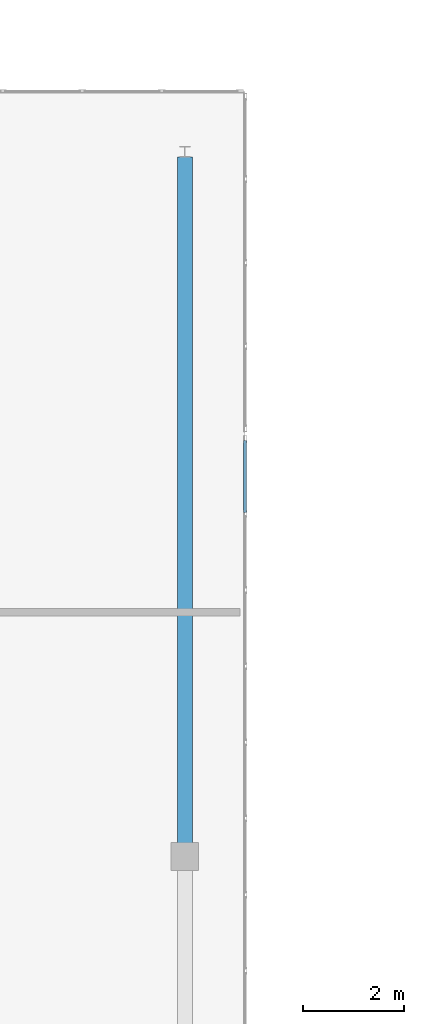
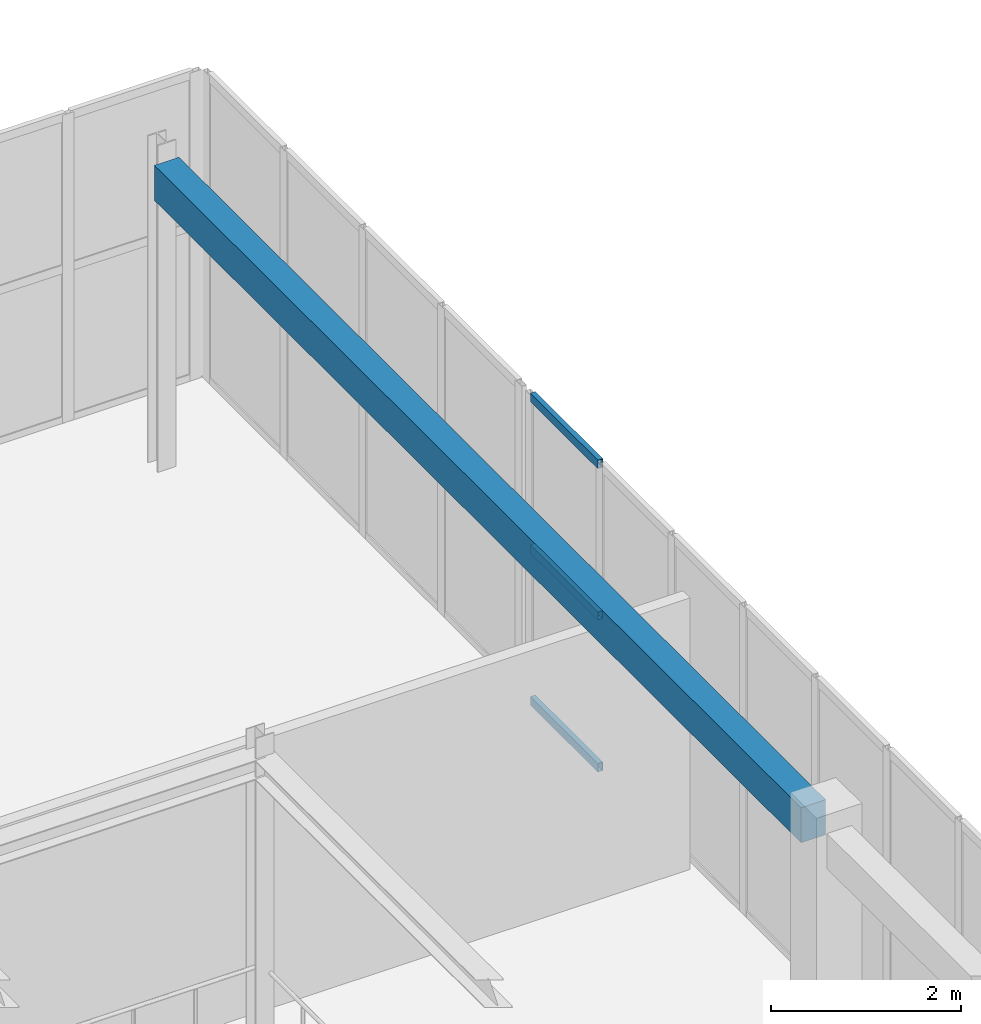
# One storey, part 47 of 81: 3 members, 1 beam, 1 element without a shape of its own.
"""IFC4 building model written with IfcOpenShell, lengths in metres."""

from ifc_helpers import new_model, si_unit, direction, frame, origin, origin_2d, place, context, subcontext, project, spatial, rectangle, hollow_rectangle, extrude, material, layer, layer_set, material_profile, profile_set, type_object, element, aggregate, save


model = new_model("IFC4")

# Units and contexts
model_context = context("Model", 3, precision=1e-05, world=origin(), true_north=direction((0.0, 1.0)))
body_context = subcontext(model_context, "Body", "Model", "MODEL_VIEW")
ifc_project = project(units=[si_unit("LENGTHUNIT", "METRE"), si_unit("AREAUNIT", "SQUARE_METRE"), si_unit("VOLUMEUNIT", "CUBIC_METRE"), si_unit("PLANEANGLEUNIT", "RADIAN"), si_unit("MASSUNIT", "GRAM", prefix="KILO")], contexts=[model_context])

# Site, building, storey
site_placement = place(None, origin())
site = spatial("IfcSite", under=ifc_project, at=site_placement, CompositionType="ELEMENT")
building_placement = place(site_placement, origin())
building = spatial("IfcBuilding", under=site, at=building_placement, Name="Trelvath General Hospital", CompositionType="ELEMENT")
storey_placement = place(building_placement, frame((0.0, 0.0, 24.60009765625)))
storey = spatial("IfcBuildingStorey", under=building, at=storey_placement, Name="L06", CompositionType="ELEMENT", Elevation=24.60009765625)

# Beam
ifc_material_1 = material(Name="Concrete C35/45", Category="concrete")
ifc_material_profile_1 = material_profile(ifc_material_1, rectangle(XDim=0.300048828125, YDim=0.449951171875, at=origin_2d()), Name="RCB300x450")
ifc_profile_set_1 = profile_set([ifc_material_profile_1], Name="Concrete C35/45")
beam_type = type_object("IfcBeamType", Name="Beam RC300x450", PredefinedType="BEAM", material=ifc_profile_set_1)
beam_placement = place(storey_placement, frame((107.199951171875, 59.071044921875, 3.73486328125), z_axis=(0.0, 1.0, 0.0), x_axis=(-1.0, 0.0, 0.0)))
element("IfcBeam", 1, at=beam_placement, inside=storey, type_object=beam_type, Name="Cube Interior Ring Beam CUBE-E-T2 L06", PredefinedType="BEAM", context=body_context, shape_type="SweptSolid", body=[
    extrude(rectangle(XDim=0.300048828125, YDim=0.449951171875, at=origin_2d()), origin(), (0.0, 0.0, 1.0), 13.623046875),
])

# Curtain wall, members
ifc_material_2 = material(Name="Anodised aluminium and low-E glass", Category="aluminium")
ifc_layer = layer(ifc_material_2, 0.139892578125)
ifc_layer_set = layer_set([ifc_layer], Name="Anodised aluminium and low-E glass")
curtain_wall_type = type_object("IfcCurtainWallType", Name="CW CrystalCube 1664 396 14", PredefinedType="USERDEFINED", material=ifc_layer_set)
curtain_wall_placement = place(storey_placement, origin())
curtain_wall = element("IfcCurtainWall", 2, at=curtain_wall_placement, inside=storey, type_object=curtain_wall_type, Name="Crystal Cube Curtain Wall CUBE-E-T2 E2 L06", ObjectType="Unitised Glazed Curtain Wall", PredefinedType="USERDEFINED")
ifc_material_3 = material(Name="Anodised aluminium", Category="aluminium")
ifc_material_profile_2 = material_profile(ifc_material_3, hollow_rectangle(XDim=0.06005859375, YDim=0.110107421875, WallThickness=0.00390625, at=origin_2d()), Name="RHS60x110x4")
ifc_profile_set_2 = profile_set([ifc_material_profile_2], Name="Anodised aluminium")
member_type = type_object("IfcMemberType", Name="CurtainTransom 60x110", PredefinedType="USERDEFINED", material=ifc_profile_set_2)
member_1_placement = place(storey_placement, frame((108.39990234375, 67.06005859375, 0.02978515625), z_axis=(0.0, -1.0, 0.0), x_axis=(1.0, 0.0, 0.0)))
member_1 = element("IfcMember", 3, at=member_1_placement, type_object=member_type, Name="CW-337 transom 1.1", ObjectType="TRANSOM", PredefinedType="USERDEFINED", context=body_context, shape_type="SweptSolid", body=[
    extrude(hollow_rectangle(XDim=0.06005859375, YDim=0.110107421875, WallThickness=0.00390625, at=origin_2d()), origin(), (0.0, 0.0, 1.0), 1.4228515625),
])
member_2_placement = place(storey_placement, frame((108.39990234375, 67.06005859375, 1.97998046875), z_axis=(0.0, -1.0, 0.0), x_axis=(1.0, 0.0, 0.0)))
member_2 = element("IfcMember", 4, at=member_2_placement, type_object=member_type, Name="CW-337 transom 1.2", ObjectType="TRANSOM", PredefinedType="USERDEFINED", context=body_context, shape_type="SweptSolid", body=[
    extrude(hollow_rectangle(XDim=0.06005859375, YDim=0.110107421875, WallThickness=0.00390625, at=origin_2d()), origin(), (0.0, 0.0, 1.0), 1.4228515625),
])
member_3_placement = place(storey_placement, frame((108.39990234375, 67.06005859375, 3.929931640625), z_axis=(0.0, -1.0, 0.0), x_axis=(1.0, 0.0, 0.0)))
member_3 = element("IfcMember", 5, at=member_3_placement, type_object=member_type, Name="CW-337 transom 1.3", ObjectType="TRANSOM", PredefinedType="USERDEFINED", context=body_context, shape_type="SweptSolid", body=[
    extrude(hollow_rectangle(XDim=0.06005859375, YDim=0.110107421875, WallThickness=0.00390625, at=origin_2d()), origin(), (0.0, 0.0, 1.0), 1.4228515625),
])
aggregate(curtain_wall, [member_1, member_2, member_3])

save(model, "model.ifc")
